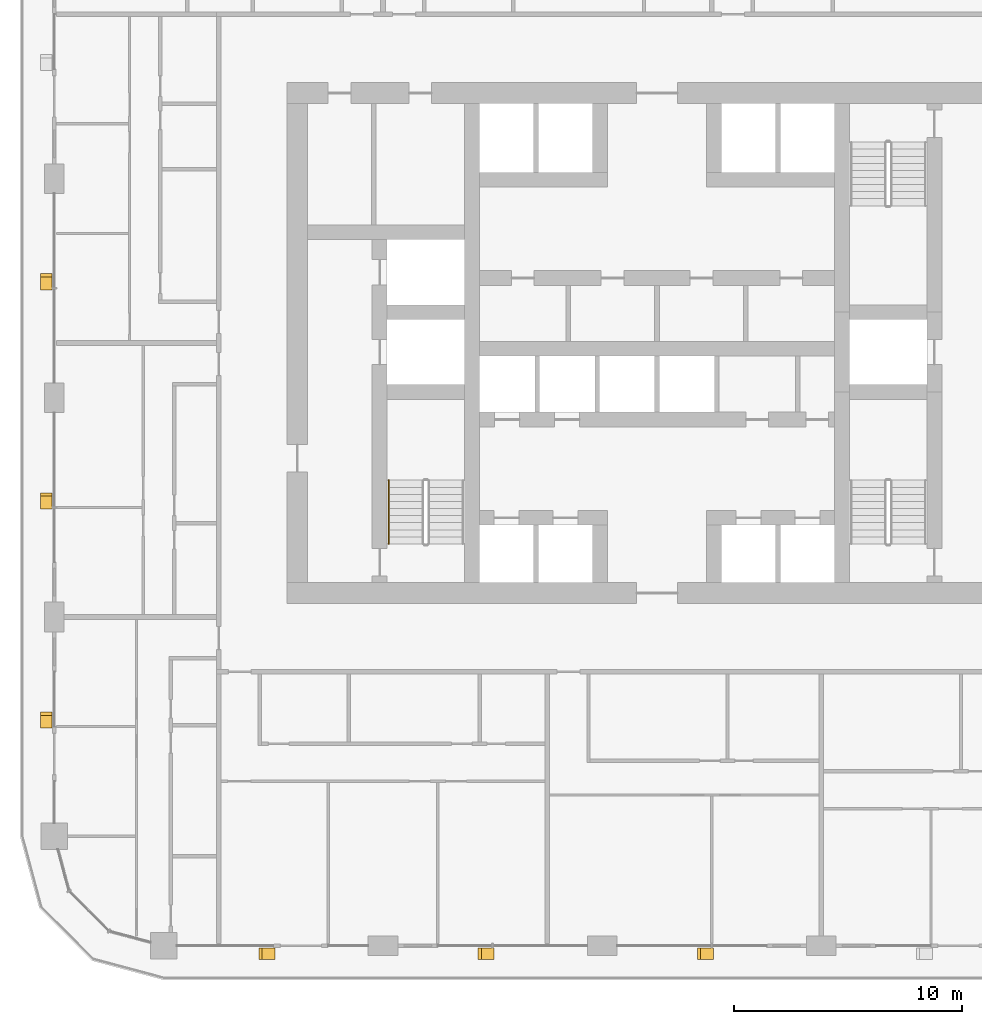
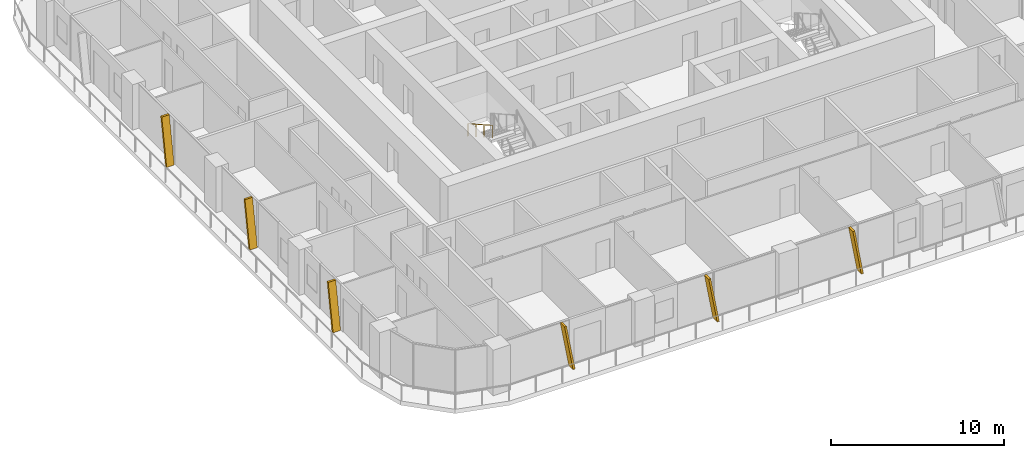
# One storey, part 17 of 22: 6 shading devices, 1 railing.
"""IFC4 building model written with IfcOpenShell, lengths in metres."""

from ifc_helpers import new_model, si_unit, direction, frame, origin, origin_2d, place, context, subcontext, project, spatial, polyline, circle, outline, extrude, material, type_object, element, save


model = new_model("IFC4")

# Units and contexts
model_context = context("Model", 3, precision=1e-05, world=origin(), true_north=direction((0.0, 1.0)))
body_context = subcontext(model_context, "Body", "Model", "MODEL_VIEW")
ifc_project = project(units=[si_unit("LENGTHUNIT", "METRE"), si_unit("AREAUNIT", "SQUARE_METRE"), si_unit("VOLUMEUNIT", "CUBIC_METRE"), si_unit("PLANEANGLEUNIT", "RADIAN"), si_unit("MASSUNIT", "GRAM", prefix="KILO")], contexts=[model_context])

# Site, building, storey
site_placement = place(None, origin())
site = spatial("IfcSite", under=ifc_project, at=site_placement, CompositionType="ELEMENT")
building_placement = place(site_placement, origin())
building = spatial("IfcBuilding", under=site, at=building_placement, Name="Madar Terraces", CompositionType="ELEMENT")
storey_placement = place(building_placement, frame((0.0, 0.0, 69.800048828125)))
storey = spatial("IfcBuildingStorey", under=building, at=storey_placement, Name="L17", CompositionType="ELEMENT", Elevation=69.800048828125)

# Shading devices
ifc_material_1 = material(Name="Aluminium, black anodised", Category="aluminium")
shading_device_type = type_object("IfcShadingDeviceType", Name="Facade fin blade 140 x 500", PredefinedType="USERDEFINED", material=ifc_material_1)
shading_device_1_placement = place(storey_placement, frame((14.330078125, -0.35009765625, 0.0), z_axis=(0.0, 0.0, 1.0), x_axis=(1.0, 0.0, 0.0)))
element("IfcShadingDevice", 1, at=shading_device_1_placement, inside=storey, type_object=shading_device_type, Name="FIN L17 S1", ObjectType="FIN", PredefinedType="USERDEFINED", context=body_context, shape_type="SweptSolid", body=[
    extrude(outline(polyline([(0.0, 0.0), (0.139892578125, 0.0), (-0.42431640625, 3.199951171875), (-0.564208984375, 3.199951171875), (0.0, 0.0)])), frame((0.0, 0.25, 0.0), z_axis=(0.0, -1.0, 0.0), x_axis=(1.0, 0.0, 0.0)), (0.0, 0.0, 1.0), 0.5),
])
shading_device_2_placement = place(storey_placement, frame((23.929931640625, -0.35009765625, 0.0), z_axis=(0.0, 0.0, 1.0), x_axis=(1.0, 0.0, 0.0)))
element("IfcShadingDevice", 2, at=shading_device_2_placement, inside=storey, type_object=shading_device_type, Name="FIN L17 S2", ObjectType="FIN", PredefinedType="USERDEFINED", context=body_context, shape_type="SweptSolid", body=[
    extrude(outline(polyline([(0.0, 0.0), (0.14013671875, 0.0), (-0.42431640625, 3.199951171875), (-0.564208984375, 3.199951171875), (0.0, 0.0)])), frame((0.0, 0.25, 0.0), z_axis=(0.0, -1.0, 0.0), x_axis=(1.0, 0.0, 0.0)), (0.0, 0.0, 1.0), 0.5),
])
shading_device_3_placement = place(storey_placement, frame((33.530029296875, -0.35009765625, 0.0), z_axis=(0.0, 0.0, 1.0), x_axis=(1.0, 0.0, 0.0)))
element("IfcShadingDevice", 3, at=shading_device_3_placement, inside=storey, type_object=shading_device_type, Name="FIN L17 S3", ObjectType="FIN", PredefinedType="USERDEFINED", context=body_context, shape_type="SweptSolid", body=[
    extrude(outline(polyline([(0.0, 0.0), (0.139892578125, 0.0), (-0.42431640625, 3.199951171875), (-0.564208984375, 3.199951171875), (0.0, 0.0)])), frame((0.0, 0.25, 0.0), z_axis=(0.0, -1.0, 0.0), x_axis=(1.0, 0.0, 0.0)), (0.0, 0.0, 1.0), 0.5),
])
for number, where, z_axis, x_axis, name in (
    (4, (4.449951171875, 28.8701171875, 0.0), (0.0, 0.0, 1.0), (0.0, -1.0, 0.0), "FIN L17 W2"),
    (5, (4.449951171875, 19.27001953125, 0.0), (0.0, 0.0, 1.0), (0.0, -1.0, 0.0), "FIN L17 W3"),
):
    element("IfcShadingDevice", number, at=place(storey_placement, frame(where, z_axis=z_axis, x_axis=x_axis)), inside=storey, type_object=shading_device_type, Name=name, ObjectType="FIN", PredefinedType="USERDEFINED", context=body_context, shape_type="SweptSolid", body=[
        extrude(outline(polyline([(0.0, 0.0), (0.14013671875, 0.0), (-0.42431640625, 3.199951171875), (-0.564208984375, 3.199951171875), (0.0, 0.0)])), frame((0.0, 0.25, 0.0), z_axis=(0.0, -1.0, 0.0), x_axis=(1.0, 0.0, 0.0)), (0.0, 0.0, 1.0), 0.5),
    ])
shading_device_4_placement = place(storey_placement, frame((4.449951171875, 9.669921875, 0.0), z_axis=(0.0, 0.0, 1.0), x_axis=(0.0, -1.0, 0.0)))
element("IfcShadingDevice", 6, at=shading_device_4_placement, inside=storey, type_object=shading_device_type, Name="FIN L17 W4", ObjectType="FIN", PredefinedType="USERDEFINED", context=body_context, shape_type="SweptSolid", body=[
    extrude(outline(polyline([(0.0, 0.0), (0.139892578125, 0.0), (-0.42431640625, 3.199951171875), (-0.564208984375, 3.199951171875), (0.0, 0.0)])), frame((0.0, 0.25, 0.0), z_axis=(0.0, -1.0, 0.0), x_axis=(1.0, 0.0, 0.0)), (0.0, 0.0, 1.0), 0.5),
])

# Railing
ifc_material_2 = material(Name="Stainless steel railing", Category="steel")
railing_type = type_object("IfcRailingType", Name="Stair handrail 900", PredefinedType="HANDRAIL", material=ifc_material_2)
railing_placement = place(storey_placement, frame((19.449951171875, 20.389892578125, 1.925048828125)))
element("IfcRailing", 7, at=railing_placement, inside=storey, type_object=railing_type, Name="L17 ST1 stair handrail 2", PredefinedType="HANDRAIL", context=body_context, shape_type="SweptSolid", body=[
    extrude(circle(Radius=0.02392578125, at=origin_2d()), frame((0.0, 0.0, 0.8759765625), z_axis=(0.0, -0.870815363784, 0.491610213684), x_axis=(1.0, 0.0, 0.0)), (0.0, 0.0, 1.0), 3.20361328125),
    extrude(circle(Radius=0.02099609375, at=origin_2d()), origin(), (0.0, 0.0, 1.0), 0.851806640625),
    extrude(circle(Radius=0.02099609375, at=origin_2d()), frame((0.0, -0.929931640625, 0.52490234375)), (0.0, 0.0, 1.0), 0.851806640625),
    extrude(circle(Radius=0.02099609375, at=origin_2d()), frame((0.0, -1.85986328125, 1.050048828125)), (0.0, 0.0, 1.0), 0.851806640625),
    extrude(circle(Radius=0.02099609375, at=origin_2d()), frame((0.0, -2.789794921875, 1.574951171875)), (0.0, 0.0, 1.0), 0.851806640625),
])

save(model, "model.ifc")
